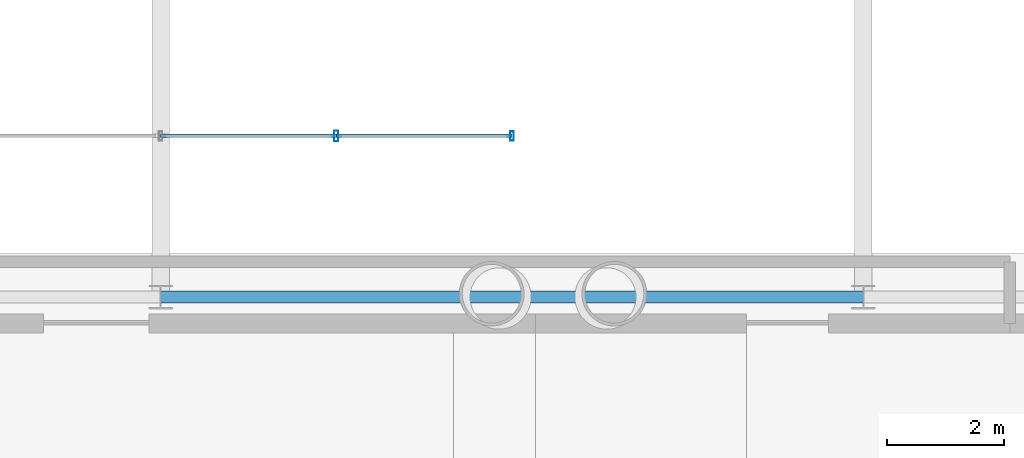
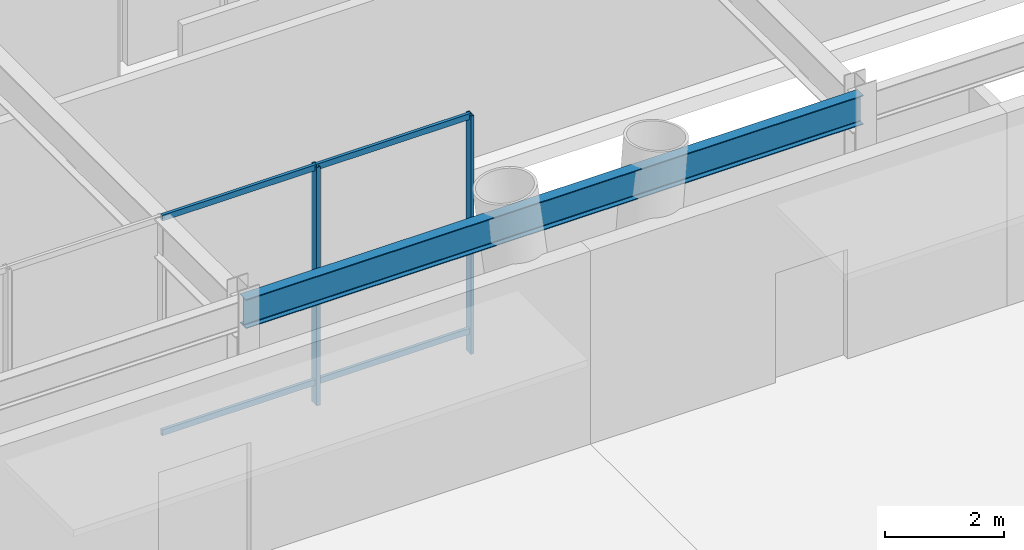
# One storey, part 7 of 19: 6 members, 1 beam, 1 element without a shape of its own.
"""IFC4 building model written with IfcOpenShell, lengths in metres."""

from ifc_helpers import new_model, si_unit, direction, frame, origin, origin_2d, place, context, subcontext, project, spatial, hollow_rectangle, i_section, extrude, material, layer, layer_set, material_profile, profile_set, type_object, element, aggregate, save


model = new_model("IFC4")

# Units and contexts
model_context = context("Model", 3, precision=1e-05, world=origin(), true_north=direction((0.0, 1.0)))
body_context = subcontext(model_context, "Body", "Model", "MODEL_VIEW")
ifc_project = project(units=[si_unit("LENGTHUNIT", "METRE"), si_unit("AREAUNIT", "SQUARE_METRE"), si_unit("VOLUMEUNIT", "CUBIC_METRE"), si_unit("PLANEANGLEUNIT", "RADIAN"), si_unit("MASSUNIT", "GRAM", prefix="KILO")], contexts=[model_context])

# Site, building, storey
site_placement = place(None, origin())
site = spatial("IfcSite", under=ifc_project, at=site_placement, CompositionType="ELEMENT")
building_placement = place(site_placement, origin())
building = spatial("IfcBuilding", under=site, at=building_placement, Name="Veldorina Hangang Commons", CompositionType="ELEMENT")
storey_placement = place(building_placement, origin())
storey = spatial("IfcBuildingStorey", under=building, at=storey_placement, Name="L00", CompositionType="ELEMENT", Elevation=0.0)

# Beam
ifc_material_1 = material(Name="Steel SM420-TMC", Category="steel")
ifc_material_profile_1 = material_profile(ifc_material_1, i_section(OverallWidth=0.199951171875, OverallDepth=0.60009765625, WebThickness=0.010986328125, FlangeThickness=0.01708984375, FilletRadius=0.01806640625, at=origin_2d()), Name="H-600x200x11x17")
ifc_profile_set_1 = profile_set([ifc_material_profile_1], Name="Steel SM420-TMC")
beam_type = type_object("IfcBeamType", Name="BM-SPN600", PredefinedType="SPANDREL", material=ifc_profile_set_1)
beam_placement = place(storey_placement, frame((32.0, 3.449951171875, 4.60009765625), z_axis=(1.0, 0.0, 0.0), x_axis=(0.0, 1.0, 0.0)))
element("IfcBeam", 1, at=beam_placement, inside=storey, type_object=beam_type, Name="L00 south spandrel beam 3", PredefinedType="SPANDREL", context=body_context, shape_type="SweptSolid", body=[
    extrude(i_section(OverallWidth=0.199951171875, OverallDepth=0.60009765625, WebThickness=0.010986328125, FlangeThickness=0.01708984375, FilletRadius=0.01806640625, at=origin_2d()), origin(), (0.0, 0.0, 1.0), 12.0),
])

# Curtain wall, members
ifc_material_2 = material(Name="Glass Low-E Triple IGU", Category="glass")
ifc_layer = layer(ifc_material_2, 0.179931640625)
ifc_layer_set = layer_set([ifc_layer], Name="Glass Low-E Triple IGU")
curtain_wall_type = type_object("IfcCurtainWallType", Name="CW-SYS-POD", PredefinedType="NOTDEFINED", material=ifc_layer_set)
curtain_wall_placement = place(storey_placement, origin())
curtain_wall = element("IfcCurtainWall", 2, at=curtain_wall_placement, inside=storey, type_object=curtain_wall_type, Name="L00 unitised curtain wall CW-L00-VEST", PredefinedType="NOTDEFINED")
ifc_material_3 = material(Name="Aluminium Anodized AA6063-T6", Category="aluminium")
ifc_material_profile_2 = material_profile(ifc_material_3, hollow_rectangle(XDim=0.06005859375, YDim=0.159912109375, WallThickness=0.00390625, at=origin_2d()), Name="ALU-RHS-160x60x4")
ifc_profile_set_2 = profile_set([ifc_material_profile_2], Name="Aluminium Anodized AA6063-T6")
member_type_1 = type_object("IfcMemberType", Name="CW-MUL-160", PredefinedType="MULLION", material=ifc_profile_set_2)
member_1_placement = place(storey_placement, frame((38.0, 6.199951171875, 0.0), z_axis=(0.0, 0.0, 1.0), x_axis=(-1.0, 0.0, 0.0)))
member_1 = element("IfcMember", 3, at=member_1_placement, type_object=member_type_1, Name="CW-L00-VEST vertical mullion 5", PredefinedType="MULLION", context=body_context, shape_type="SweptSolid", body=[
    extrude(hollow_rectangle(XDim=0.06005859375, YDim=0.159912109375, WallThickness=0.00390625, at=origin_2d()), origin(), (0.0, 0.0, 1.0), 4.89990234375),
])
ifc_material_profile_3 = material_profile(ifc_material_3, hollow_rectangle(XDim=0.070068359375, YDim=0.179931640625, WallThickness=0.00390625, at=origin_2d()), Name="ALU-RHS-180x70x4")
ifc_profile_set_3 = profile_set([ifc_material_profile_3], Name="Aluminium Anodized AA6063-T6")
member_type_2 = type_object("IfcMemberType", Name="CW-MUL-180", PredefinedType="MULLION", material=ifc_profile_set_3)
member_2_placement = place(storey_placement, frame((35.0, 6.199951171875, 0.0), z_axis=(0.0, 0.0, 1.0), x_axis=(1.0, 0.0, 0.0)))
member_2 = element("IfcMember", 4, at=member_2_placement, type_object=member_type_2, Name="CW-L00-VEST vertical mullion 4", PredefinedType="MULLION", context=body_context, shape_type="SweptSolid", body=[
    extrude(hollow_rectangle(XDim=0.070068359375, YDim=0.179931640625, WallThickness=0.00390625, at=origin_2d()), origin(), (0.0, 0.0, 1.0), 4.89990234375),
])
ifc_material_profile_4 = material_profile(ifc_material_3, hollow_rectangle(XDim=0.06005859375, YDim=0.1201171875, WallThickness=0.00341796875, at=origin_2d()), Name="ALU-RHS-120x60x3.5")
ifc_profile_set_4 = profile_set([ifc_material_profile_4], Name="Aluminium Anodized AA6063-T6")
member_type_3 = type_object("IfcMemberType", Name="CW-TRN-120", PredefinedType="USERDEFINED", material=ifc_profile_set_4)
member_3_placement = place(storey_placement, frame((32.0, 6.199951171875, 0.449951171875), z_axis=(1.0, 0.0, 0.0), x_axis=(0.0, 1.0, 0.0)))
member_3 = element("IfcMember", 5, at=member_3_placement, type_object=member_type_3, Name="CW-L00-VEST facet 3 transom 1", ObjectType="TRANSOM", PredefinedType="USERDEFINED", context=body_context, shape_type="SweptSolid", body=[
    extrude(hollow_rectangle(XDim=0.06005859375, YDim=0.1201171875, WallThickness=0.00341796875, at=origin_2d()), origin(), (0.0, 0.0, 1.0), 3.0),
])
member_4_placement = place(storey_placement, frame((32.0, 6.199951171875, 4.860107421875), z_axis=(1.0, 0.0, 0.0), x_axis=(0.0, 1.0, 0.0)))
member_4 = element("IfcMember", 6, at=member_4_placement, type_object=member_type_3, Name="CW-L00-VEST facet 3 transom 2", ObjectType="TRANSOM", PredefinedType="USERDEFINED", context=body_context, shape_type="SweptSolid", body=[
    extrude(hollow_rectangle(XDim=0.06005859375, YDim=0.1201171875, WallThickness=0.00341796875, at=origin_2d()), origin(), (0.0, 0.0, 1.0), 3.0),
])
member_5_placement = place(storey_placement, frame((35.0, 6.199951171875, 0.449951171875), z_axis=(1.0, 0.0, 0.0), x_axis=(0.0, 1.0, 0.0)))
member_5 = element("IfcMember", 7, at=member_5_placement, type_object=member_type_3, Name="CW-L00-VEST facet 4 transom 1", ObjectType="TRANSOM", PredefinedType="USERDEFINED", context=body_context, shape_type="SweptSolid", body=[
    extrude(hollow_rectangle(XDim=0.06005859375, YDim=0.1201171875, WallThickness=0.00341796875, at=origin_2d()), origin(), (0.0, 0.0, 1.0), 3.0),
])
member_6_placement = place(storey_placement, frame((35.0, 6.199951171875, 4.860107421875), z_axis=(1.0, 0.0, 0.0), x_axis=(0.0, 1.0, 0.0)))
member_6 = element("IfcMember", 8, at=member_6_placement, type_object=member_type_3, Name="CW-L00-VEST facet 4 transom 2", ObjectType="TRANSOM", PredefinedType="USERDEFINED", context=body_context, shape_type="SweptSolid", body=[
    extrude(hollow_rectangle(XDim=0.06005859375, YDim=0.1201171875, WallThickness=0.00341796875, at=origin_2d()), origin(), (0.0, 0.0, 1.0), 3.0),
])
aggregate(curtain_wall, [member_2, member_1, member_3, member_4, member_5, member_6])

save(model, "model.ifc")
